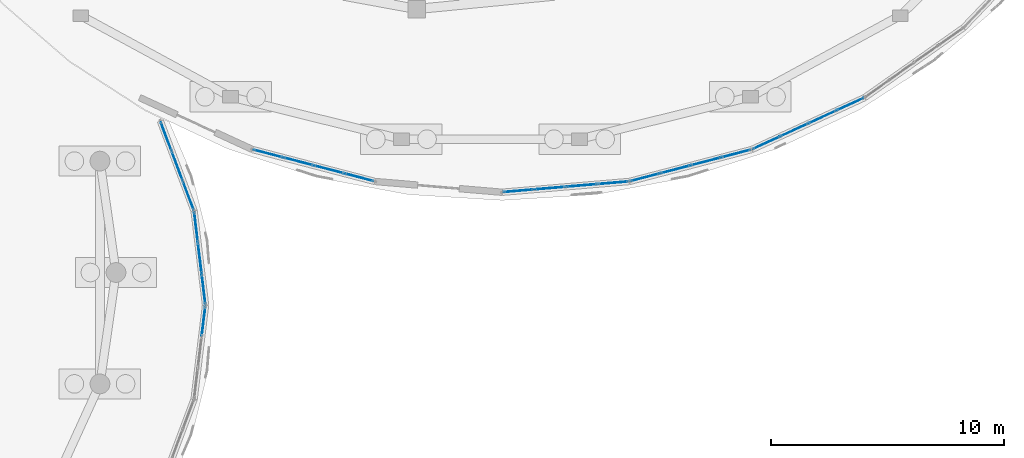
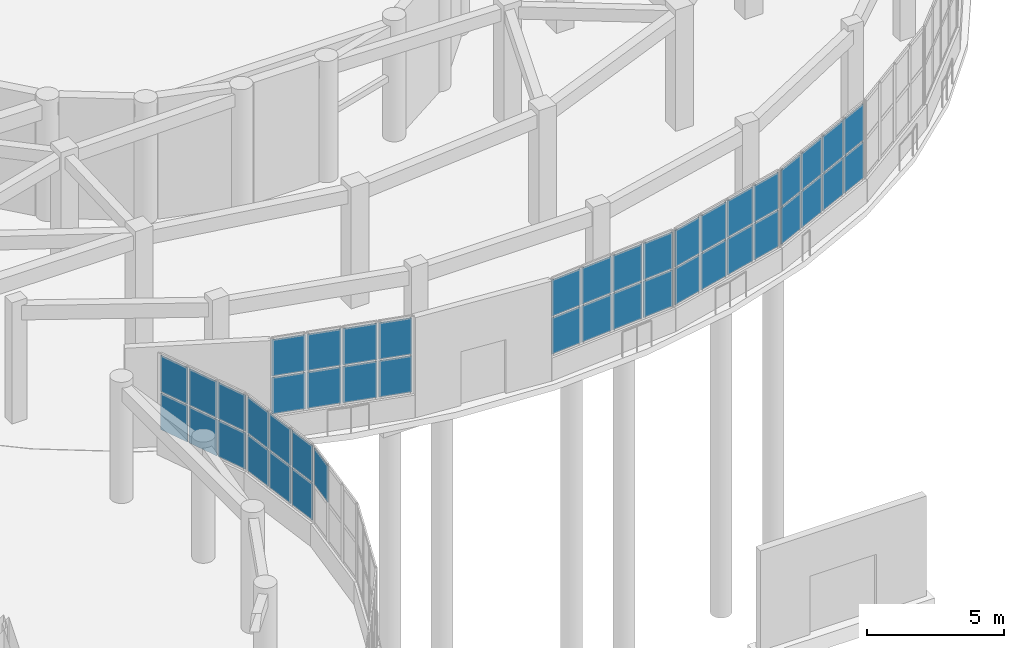
# One storey, part 63 of 96: 45 plates, 7 elements without a shape of their own.
"""IFC4 building model written with IfcOpenShell, lengths in metres."""

import ifcopenshell
import ifcopenshell.guid

model = None  # the IFC model being written
_history = None  # IfcOwnerHistory: only IFC2X3 demands one
_inside = {}  # id of a spatial element -> (the spatial element, [elements in it])
_under = {}  # id of a project, library or spatial element -> (it, [spatial elements below it])
_declared = {}  # id of a project -> (the project, [libraries it declares])
_typed = {}  # id of a type object -> (the type object, [elements of that type])
_made_of = {}  # id of a material, layer set ... -> (it, [elements and type objects made of it])


def new_model(schema):
    """Start an empty IFC model of exactly this schema.

    Asked for "IFC4X3", IfcOpenShell would pick the latest addendum, in which some entities
    have other attributes; the version numbers below select the first issue.
    IFC2X3 requires an IfcOwnerHistory on every rooted entity: one is made here for all.
    """
    global model, _history
    if schema == "IFC4X3":
        model = ifcopenshell.file(schema_version=(4, 3, 0, 0))
    else:
        model = ifcopenshell.file(schema=schema)
    _inside.clear()
    _under.clear()
    _declared.clear()
    _typed.clear()
    _made_of.clear()
    _history = None
    if model.schema == "IFC2X3":
        org = make("IfcOrganization", Name="unknown")
        user = make(
            "IfcPersonAndOrganization",
            ThePerson=make("IfcPerson", FamilyName="unknown"),
            TheOrganization=org,
        )
        app = make(
            "IfcApplication",
            ApplicationDeveloper=org,
            Version="unknown",
            ApplicationFullName="unknown",
            ApplicationIdentifier="unknown",
        )
        _history = make(
            "IfcOwnerHistory",
            OwningUser=user,
            OwningApplication=app,
            ChangeAction="ADDED",
            CreationDate=0,
        )
    return model


def make(cls, **values):
    """One entity of the class cls with the attributes given. An attribute that is None is left unset."""
    return model.create_entity(
        cls, **{name: value for name, value in values.items() if value is not None}
    )


def rooted(cls, **values):
    """An entity with a GlobalId (a new one), such as an element, a storey or a relation."""
    return make(cls, GlobalId=ifcopenshell.guid.new(), OwnerHistory=_history, **values)


def si_unit(unit_type, name, prefix=None):
    """IfcSIUnit, for example si_unit("LENGTHUNIT", "METRE", prefix="MILLI")."""
    return make("IfcSIUnit", UnitType=unit_type, Prefix=prefix, Name=name)


def assignment(units):
    """IfcUnitAssignment: the units of a project."""
    return None if units is None else make("IfcUnitAssignment", Units=units)


def point(xyz):
    """IfcCartesianPoint."""
    return None if xyz is None else make("IfcCartesianPoint", Coordinates=xyz)


def direction(xyz):
    """IfcDirection."""
    return None if xyz is None else make("IfcDirection", DirectionRatios=xyz)


def frame(location, z_axis=None, x_axis=None):
    """IfcAxis2Placement3D, a coordinate frame: its origin and axes. An axis left out is left unset."""
    return make(
        "IfcAxis2Placement3D",
        Location=point(location),
        Axis=direction(z_axis),
        RefDirection=direction(x_axis),
    )


def frame_2d(location, x_axis=None):
    """IfcAxis2Placement2D, a coordinate frame in the plane: its origin and x axis."""
    return make(
        "IfcAxis2Placement2D", Location=point(location), RefDirection=direction(x_axis)
    )


def origin():
    """The frame at (0, 0, 0) with its axes left unset."""
    return frame((0.0, 0.0, 0.0))


def origin_2d():
    """The frame at (0, 0) in the plane with its x axis left unset."""
    return frame_2d((0.0, 0.0))


def place(relative_to, where):
    """IfcLocalPlacement: puts the frame where relative to a parent placement (None: the world)."""
    return make(
        "IfcLocalPlacement", PlacementRelTo=relative_to, RelativePlacement=where
    )


def context(
    kind, dimensions, precision=None, world=None, true_north=None, identifier=None
):
    """IfcGeometricRepresentationContext, for example the 3D "Model" context."""
    return make(
        "IfcGeometricRepresentationContext",
        ContextIdentifier=identifier,
        ContextType=kind,
        CoordinateSpaceDimension=dimensions,
        Precision=precision,
        WorldCoordinateSystem=world,
        TrueNorth=true_north,
    )


def subcontext(parent, identifier, kind, view, scale=None):
    """IfcGeometricRepresentationSubContext, for example "Body" below "Model"."""
    return make(
        "IfcGeometricRepresentationSubContext",
        ContextIdentifier=identifier,
        ContextType=kind,
        ParentContext=parent,
        TargetScale=scale,
        TargetView=view,
    )


def project(units=None, contexts=None):
    """IfcProject with its units and contexts."""
    return rooted(
        "IfcProject",
        Name="project",
        RepresentationContexts=contexts,
        UnitsInContext=assignment(units),
    )


def spatial(cls, under=None, at=None, **own):
    """A site, building, storey or space (cls), placed at a placement, below another one or the project."""
    s = rooted(cls, ObjectPlacement=at, **own)
    if under is not None:
        _under.setdefault(under.id(), (under, []))[1].append(s)
    return s


def profile(cls, at=None, kind="AREA", **sizes):
    """A parametric profile (cls). Its sizes go by their IFC names, for example OverallWidth=200.0."""
    return make(cls, ProfileType=kind, Position=at, **sizes)


def rectangle(**sizes):
    """IfcRectangleProfileDef."""
    return profile("IfcRectangleProfileDef", **sizes)


def extrude(swept, where, along, depth):
    """IfcExtrudedAreaSolid: the profile swept, set in the frame where, extruded along a direction by depth."""
    return make(
        "IfcExtrudedAreaSolid",
        SweptArea=swept,
        Position=where,
        ExtrudedDirection=direction(along),
        Depth=depth,
    )


def shape(context_of_items, identifier, shape_type, items):
    """IfcShapeRepresentation: the items that make up one representation, for example the "Body"."""
    return make(
        "IfcShapeRepresentation",
        ContextOfItems=context_of_items,
        RepresentationIdentifier=identifier,
        RepresentationType=shape_type,
        Items=items,
    )


def material(Name=None, Category=None):
    """IfcMaterial."""
    return make("IfcMaterial", Name=Name, Category=Category)


def layer(
    of_material, thickness, ventilated=None, Name=None, Category=None, Priority=None
):
    """IfcMaterialLayer: one layer of a wall or slab, of a material (None: an air gap)."""
    return make(
        "IfcMaterialLayer",
        Material=of_material,
        LayerThickness=thickness,
        IsVentilated=ventilated,
        Name=Name,
        Category=Category,
        Priority=Priority,
    )


def layer_set(layers, Name=None):
    """IfcMaterialLayerSet."""
    return make("IfcMaterialLayerSet", MaterialLayers=layers, LayerSetName=Name)


def made_of(thing, what):
    """Note that an element or type object is made of a material, layer set ...; save() writes the relation."""
    if what is not None:
        _made_of.setdefault(what.id(), (what, []))[1].append(thing)
    return thing


def type_object(cls, material=None, **own):
    """A type object (cls), such as IfcWallType, which elements share."""
    return made_of(rooted(cls, **own), material)


def element(
    cls,
    number,
    at=None,
    inside=None,
    cuts=None,
    type_object=None,
    material=None,
    context=None,
    identifier="Body",
    shape_type=None,
    held_by="IfcProductDefinitionShape",
    body=None,
    shapes=None,
    **own,
):
    """One element of the class cls, such as IfcWall. Its Tag is "e" and its number.

    at: its placement. inside: the storey or other place that contains it. cuts: it is an
    opening in that element (IfcRelVoidsElement). A single representation is given by context,
    identifier, shape_type and body (its items); several are given by shapes. held_by: the class
    of the entity that holds the representations. save() writes the other relations.
    """
    e = rooted(cls, Tag="e%d" % number, ObjectPlacement=at, **own)
    if body is not None:
        shapes = [shape(context, identifier, shape_type, body)]
    if shapes is not None:
        e.Representation = make(held_by, Representations=shapes)
    if inside is not None:
        _inside.setdefault(inside.id(), (inside, []))[1].append(e)
    if cuts is not None:
        rooted(
            "IfcRelVoidsElement", RelatingBuildingElement=cuts, RelatedOpeningElement=e
        )
    if type_object is not None:
        _typed.setdefault(type_object.id(), (type_object, []))[1].append(e)
    return made_of(e, material)


def aggregate(whole, parts):
    """IfcRelAggregates: a whole, such as a stair, and the parts it consists of."""
    return rooted("IfcRelAggregates", RelatingObject=whole, RelatedObjects=parts)


def save(model, path):
    """Write the relations noted so far, then the file.

    IfcRelAggregates (storeys below a building ...), IfcRelContainedInSpatialStructure (elements
    in a storey), IfcRelDefinesByType, IfcRelAssociatesMaterial and IfcRelDeclares: one each for
    every whole, place, type object, material and project.
    """
    for whole, parts in _under.values():
        aggregate(whole, parts)
    for where, things in _inside.values():
        rooted(
            "IfcRelContainedInSpatialStructure",
            RelatedElements=things,
            RelatingStructure=where,
        )
    for kind, things in _typed.values():
        rooted("IfcRelDefinesByType", RelatedObjects=things, RelatingType=kind)
    for what, things in _made_of.values():
        rooted("IfcRelAssociatesMaterial", RelatedObjects=things, RelatingMaterial=what)
    for by, libraries in _declared.values():
        rooted("IfcRelDeclares", RelatingContext=by, RelatedDefinitions=libraries)
    model.write(path)


model = new_model("IFC4")

# Units and contexts
model_context = context("Model", 3, precision=1e-05, world=origin(), true_north=direction((0.0, 1.0)))
body_context = subcontext(model_context, "Body", "Model", "MODEL_VIEW")
ifc_project = project(units=[si_unit("LENGTHUNIT", "METRE"), si_unit("AREAUNIT", "SQUARE_METRE"), si_unit("VOLUMEUNIT", "CUBIC_METRE"), si_unit("PLANEANGLEUNIT", "RADIAN"), si_unit("MASSUNIT", "GRAM", prefix="KILO")], contexts=[model_context])

# Site, building, storey
site_placement = place(None, origin())
site = spatial("IfcSite", under=ifc_project, at=site_placement, CompositionType="ELEMENT")
building_placement = place(site_placement, origin())
building = spatial("IfcBuilding", under=site, at=building_placement, Name="Pelvatis Terrace Science Centre", CompositionType="ELEMENT")
storey_placement = place(building_placement, origin())
storey = spatial("IfcBuildingStorey", under=building, at=storey_placement, Name="L00", CompositionType="ELEMENT", Elevation=0.0)

# Curtain wall, plates
ifc_material_1 = material(Name="Bronze-anodised aluminium and laminated glass", Category="aluminium")
ifc_layer_1 = layer(ifc_material_1, 0.199951171875)
ifc_layer_set_1 = layer_set([ifc_layer_1], Name="Bronze-anodised aluminium and laminated glass")
curtain_wall_type = type_object("IfcCurtainWallType", Name="CW-RIBBON-B", PredefinedType="NOTDEFINED", material=ifc_layer_set_1)
curtain_wall_1_placement = place(storey_placement, origin())
curtain_wall_1 = element("IfcCurtainWall", 1, at=curtain_wall_1_placement, inside=storey, type_object=curtain_wall_type, Name="Ribbon curtain wall CW-043 (L00)", PredefinedType="NOTDEFINED")
ifc_material_2 = material(Name="Low-e laminated solar-control double glazing", Category="glass")
ifc_layer_2 = layer(ifc_material_2, 0.031982421875)
ifc_layer_set_2 = layer_set([ifc_layer_2], Name="Low-e laminated solar-control double glazing")
plate_type = type_object("IfcPlateType", Name="CWP-IGU-32", PredefinedType="CURTAIN_PANEL", material=ifc_layer_set_2)
plate_1_placement = place(storey_placement, frame((98.766357421875, 53.89013671875, 1.0849609375), z_axis=(0.0, 0.0, 1.0), x_axis=(-0.120435470735, 0.992721157923, 0.0)))
plate_1 = element("IfcPlate", 2, at=plate_1_placement, type_object=plate_type, Name="CW-043 panel 1.1", PredefinedType="CURTAIN_PANEL", context=body_context, shape_type="SweptSolid", body=[
    extrude(rectangle(XDim=1.26025390625, YDim=0.031982421875, at=origin_2d()), origin(), (0.0, 0.0, 1.0), 1.62255859375),
])
plate_2_placement = place(storey_placement, frame((98.766357421875, 53.89013671875, 2.7724609375), z_axis=(0.0, 0.0, 1.0), x_axis=(-0.120435470735, 0.992721157923, 0.0)))
plate_2 = element("IfcPlate", 3, at=plate_2_placement, type_object=plate_type, Name="CW-043 panel 1.2", PredefinedType="CURTAIN_PANEL", context=body_context, shape_type="SweptSolid", body=[
    extrude(rectangle(XDim=1.26025390625, YDim=0.031982421875, at=origin_2d()), origin(), (0.0, 0.0, 1.0), 1.62255859375),
])
plate_3_placement = place(storey_placement, frame((98.604736328125, 55.221923828125, 1.0849609375), z_axis=(0.0, 0.0, 1.0), x_axis=(-0.120435470735, 0.992721157923, 0.0)))
plate_3 = element("IfcPlate", 4, at=plate_3_placement, type_object=plate_type, Name="CW-043 panel 2.1", PredefinedType="CURTAIN_PANEL", context=body_context, shape_type="SweptSolid", body=[
    extrude(rectangle(XDim=1.29296875, YDim=0.031982421875, at=origin_2d()), origin(), (0.0, 0.0, 1.0), 1.62255859375),
])
plate_4_placement = place(storey_placement, frame((98.604736328125, 55.221923828125, 2.7724609375), z_axis=(0.0, 0.0, 1.0), x_axis=(-0.120435470735, 0.992721157923, 0.0)))
plate_4 = element("IfcPlate", 5, at=plate_4_placement, type_object=plate_type, Name="CW-043 panel 2.2", PredefinedType="CURTAIN_PANEL", context=body_context, shape_type="SweptSolid", body=[
    extrude(rectangle(XDim=1.29296875, YDim=0.031982421875, at=origin_2d()), origin(), (0.0, 0.0, 1.0), 1.62255859375),
])
plate_5_placement = place(storey_placement, frame((98.443115234375, 56.5537109375, 1.0849609375), z_axis=(0.0, 0.0, 1.0), x_axis=(-0.120435470735, 0.992721157923, 0.0)))
plate_5 = element("IfcPlate", 6, at=plate_5_placement, type_object=plate_type, Name="CW-043 panel 3.1", PredefinedType="CURTAIN_PANEL", context=body_context, shape_type="SweptSolid", body=[
    extrude(rectangle(XDim=1.26025390625, YDim=0.031982421875, at=origin_2d()), origin(), (0.0, 0.0, 1.0), 1.62255859375),
])
plate_6_placement = place(storey_placement, frame((98.443115234375, 56.5537109375, 2.7724609375), z_axis=(0.0, 0.0, 1.0), x_axis=(-0.120435470735, 0.992721157923, 0.0)))
plate_6 = element("IfcPlate", 7, at=plate_6_placement, type_object=plate_type, Name="CW-043 panel 3.2", PredefinedType="CURTAIN_PANEL", context=body_context, shape_type="SweptSolid", body=[
    extrude(rectangle(XDim=1.26025390625, YDim=0.031982421875, at=origin_2d()), origin(), (0.0, 0.0, 1.0), 1.62255859375),
])
aggregate(curtain_wall_1, [plate_1, plate_2, plate_3, plate_4, plate_5, plate_6])

curtain_wall_2_placement = place(storey_placement, origin())
curtain_wall_2 = element("IfcCurtainWall", 8, at=curtain_wall_2_placement, inside=storey, type_object=curtain_wall_type, Name="Ribbon curtain wall CW-044 (L00)", PredefinedType="NOTDEFINED")
plate_7_placement = place(storey_placement, frame((98.112060546875, 57.903564453125, 1.0849609375), z_axis=(0.0, 0.0, 1.0), x_axis=(-0.351152628988, 0.936318231775, 0.0)))
plate_7 = element("IfcPlate", 9, at=plate_7_placement, type_object=plate_type, Name="CW-044 panel 1.1", PredefinedType="CURTAIN_PANEL", context=body_context, shape_type="SweptSolid", body=[
    extrude(rectangle(XDim=1.279296875, YDim=0.031982421875, at=origin_2d()), origin(), (0.0, 0.0, 1.0), 1.62255859375),
])
plate_8_placement = place(storey_placement, frame((98.112060546875, 57.903564453125, 2.7724609375), z_axis=(0.0, 0.0, 1.0), x_axis=(-0.351152628988, 0.936318231775, 0.0)))
plate_8 = element("IfcPlate", 10, at=plate_8_placement, type_object=plate_type, Name="CW-044 panel 1.2", PredefinedType="CURTAIN_PANEL", context=body_context, shape_type="SweptSolid", body=[
    extrude(rectangle(XDim=1.279296875, YDim=0.031982421875, at=origin_2d()), origin(), (0.0, 0.0, 1.0), 1.62255859375),
])
plate_9_placement = place(storey_placement, frame((97.63427734375, 59.177490234375, 1.0849609375), z_axis=(0.0, 0.0, 1.0), x_axis=(-0.351152628988, 0.936318231775, 0.0)))
plate_9 = element("IfcPlate", 11, at=plate_9_placement, type_object=plate_type, Name="CW-044 panel 2.1", PredefinedType="CURTAIN_PANEL", context=body_context, shape_type="SweptSolid", body=[
    extrude(rectangle(XDim=1.311767578125, YDim=0.031982421875, at=origin_2d()), origin(), (0.0, 0.0, 1.0), 1.62255859375),
])
plate_10_placement = place(storey_placement, frame((97.63427734375, 59.177490234375, 2.7724609375), z_axis=(0.0, 0.0, 1.0), x_axis=(-0.351152628988, 0.936318231775, 0.0)))
plate_10 = element("IfcPlate", 12, at=plate_10_placement, type_object=plate_type, Name="CW-044 panel 2.2", PredefinedType="CURTAIN_PANEL", context=body_context, shape_type="SweptSolid", body=[
    extrude(rectangle(XDim=1.311767578125, YDim=0.031982421875, at=origin_2d()), origin(), (0.0, 0.0, 1.0), 1.62255859375),
])
plate_11_placement = place(storey_placement, frame((97.156494140625, 60.451171875, 1.0849609375), z_axis=(0.0, 0.0, 1.0), x_axis=(-0.351152628988, 0.936318231775, 0.0)))
plate_11 = element("IfcPlate", 13, at=plate_11_placement, type_object=plate_type, Name="CW-044 panel 3.1", PredefinedType="CURTAIN_PANEL", context=body_context, shape_type="SweptSolid", body=[
    extrude(rectangle(XDim=1.279296875, YDim=0.031982421875, at=origin_2d()), origin(), (0.0, 0.0, 1.0), 1.62255859375),
])
plate_12_placement = place(storey_placement, frame((97.156494140625, 60.451171875, 2.7724609375), z_axis=(0.0, 0.0, 1.0), x_axis=(-0.351152628988, 0.936318231775, 0.0)))
plate_12 = element("IfcPlate", 14, at=plate_12_placement, type_object=plate_type, Name="CW-044 panel 3.2", PredefinedType="CURTAIN_PANEL", context=body_context, shape_type="SweptSolid", body=[
    extrude(rectangle(XDim=1.279296875, YDim=0.031982421875, at=origin_2d()), origin(), (0.0, 0.0, 1.0), 1.62255859375),
])
aggregate(curtain_wall_2, [plate_7, plate_8, plate_9, plate_10, plate_11, plate_12])

# Curtain wall, plate
curtain_wall_3_placement = place(storey_placement, origin())
curtain_wall_3 = element("IfcCurtainWall", 15, at=curtain_wall_3_placement, inside=storey, type_object=curtain_wall_type, Name="Ribbon curtain wall CW-059 (L00)", PredefinedType="NOTDEFINED")
plate_13_placement = place(storey_placement, frame((98.766357421875, 52.509765625, 2.7724609375), z_axis=(0.0, 0.0, 1.0), x_axis=(0.120435470735, 0.992721157923, 0.0)))
plate_13 = element("IfcPlate", 16, at=plate_13_placement, type_object=plate_type, Name="CW-059 panel 3.2", PredefinedType="CURTAIN_PANEL", context=body_context, shape_type="SweptSolid", body=[
    extrude(rectangle(XDim=1.26025390625, YDim=0.031982421875, at=origin_2d()), origin(), (0.0, 0.0, 1.0), 1.62255859375),
])
aggregate(curtain_wall_3, [plate_13])

# Curtain wall, plates
curtain_wall_4_placement = place(storey_placement, origin())
curtain_wall_4 = element("IfcCurtainWall", 17, at=curtain_wall_4_placement, inside=storey, type_object=curtain_wall_type, Name="Ribbon curtain wall CW-118 (L00)", PredefinedType="NOTDEFINED")
plate_14_placement = place(storey_placement, frame((101.5390625, 59.71240234375, 1.0849609375), z_axis=(0.0, 0.0, 1.0), x_axis=(0.967545180389, -0.252698088449, 0.0)))
plate_14 = element("IfcPlate", 18, at=plate_14_placement, type_object=plate_type, Name="CW-118 panel 1.1", PredefinedType="CURTAIN_PANEL", context=body_context, shape_type="SweptSolid", body=[
    extrude(rectangle(XDim=1.26220703125, YDim=0.031982421875, at=origin_2d()), origin(), (0.0, 0.0, 1.0), 1.62255859375),
])
plate_15_placement = place(storey_placement, frame((101.5390625, 59.71240234375, 2.7724609375), z_axis=(0.0, 0.0, 1.0), x_axis=(0.967545180389, -0.252698088449, 0.0)))
plate_15 = element("IfcPlate", 19, at=plate_15_placement, type_object=plate_type, Name="CW-118 panel 1.2", PredefinedType="CURTAIN_PANEL", context=body_context, shape_type="SweptSolid", body=[
    extrude(rectangle(XDim=1.26220703125, YDim=0.031982421875, at=origin_2d()), origin(), (0.0, 0.0, 1.0), 1.62255859375),
])
plate_16_placement = place(storey_placement, frame((102.8388671875, 59.373046875, 1.0849609375), z_axis=(0.0, 0.0, 1.0), x_axis=(0.967545180389, -0.252698088449, 0.0)))
plate_16 = element("IfcPlate", 20, at=plate_16_placement, type_object=plate_type, Name="CW-118 panel 2.1", PredefinedType="CURTAIN_PANEL", context=body_context, shape_type="SweptSolid", body=[
    extrude(rectangle(XDim=1.294677734375, YDim=0.031982421875, at=origin_2d()), origin(), (0.0, 0.0, 1.0), 1.62255859375),
])
plate_17_placement = place(storey_placement, frame((102.8388671875, 59.373046875, 2.7724609375), z_axis=(0.0, 0.0, 1.0), x_axis=(0.967545180389, -0.252698088449, 0.0)))
plate_17 = element("IfcPlate", 21, at=plate_17_placement, type_object=plate_type, Name="CW-118 panel 2.2", PredefinedType="CURTAIN_PANEL", context=body_context, shape_type="SweptSolid", body=[
    extrude(rectangle(XDim=1.294677734375, YDim=0.031982421875, at=origin_2d()), origin(), (0.0, 0.0, 1.0), 1.62255859375),
])
plate_18_placement = place(storey_placement, frame((104.154541015625, 59.029296875, 1.0849609375), z_axis=(0.0, 0.0, 1.0), x_axis=(0.967545180389, -0.252698088449, 0.0)))
plate_18 = element("IfcPlate", 22, at=plate_18_placement, type_object=plate_type, Name="CW-118 panel 3.1", PredefinedType="CURTAIN_PANEL", context=body_context, shape_type="SweptSolid", body=[
    extrude(rectangle(XDim=1.294677734375, YDim=0.031982421875, at=origin_2d()), origin(), (0.0, 0.0, 1.0), 1.62255859375),
])
plate_19_placement = place(storey_placement, frame((104.154541015625, 59.029296875, 2.7724609375), z_axis=(0.0, 0.0, 1.0), x_axis=(0.967545180389, -0.252698088449, 0.0)))
plate_19 = element("IfcPlate", 23, at=plate_19_placement, type_object=plate_type, Name="CW-118 panel 3.2", PredefinedType="CURTAIN_PANEL", context=body_context, shape_type="SweptSolid", body=[
    extrude(rectangle(XDim=1.294677734375, YDim=0.031982421875, at=origin_2d()), origin(), (0.0, 0.0, 1.0), 1.62255859375),
])
plate_20_placement = place(storey_placement, frame((105.454345703125, 58.68994140625, 1.0849609375), z_axis=(0.0, 0.0, 1.0), x_axis=(0.967545180389, -0.252698088449, 0.0)))
plate_20 = element("IfcPlate", 24, at=plate_20_placement, type_object=plate_type, Name="CW-118 panel 4.1", PredefinedType="CURTAIN_PANEL", context=body_context, shape_type="SweptSolid", body=[
    extrude(rectangle(XDim=1.26220703125, YDim=0.031982421875, at=origin_2d()), origin(), (0.0, 0.0, 1.0), 1.62255859375),
])
plate_21_placement = place(storey_placement, frame((105.454345703125, 58.68994140625, 2.7724609375), z_axis=(0.0, 0.0, 1.0), x_axis=(0.967545180389, -0.252698088449, 0.0)))
plate_21 = element("IfcPlate", 25, at=plate_21_placement, type_object=plate_type, Name="CW-118 panel 4.2", PredefinedType="CURTAIN_PANEL", context=body_context, shape_type="SweptSolid", body=[
    extrude(rectangle(XDim=1.26220703125, YDim=0.031982421875, at=origin_2d()), origin(), (0.0, 0.0, 1.0), 1.62255859375),
])
aggregate(curtain_wall_4, [plate_14, plate_15, plate_16, plate_17, plate_18, plate_19, plate_20, plate_21])

curtain_wall_5_placement = place(storey_placement, origin())
curtain_wall_5 = element("IfcCurtainWall", 26, at=curtain_wall_5_placement, inside=storey, type_object=curtain_wall_type, Name="Ribbon curtain wall CW-119 (L00)", PredefinedType="NOTDEFINED")
plate_22_placement = place(storey_placement, frame((112.30029296875, 58.109375, 1.0849609375), z_axis=(0.0, 0.0, 1.0), x_axis=(0.996424538597, 0.084487507255, 0.0)))
plate_22 = element("IfcPlate", 27, at=plate_22_placement, type_object=plate_type, Name="CW-119 panel 1.1", PredefinedType="CURTAIN_PANEL", context=body_context, shape_type="SweptSolid", body=[
    extrude(rectangle(XDim=1.275390625, YDim=0.031982421875, at=origin_2d()), origin(), (0.0, 0.0, 1.0), 1.62255859375),
])
plate_23_placement = place(storey_placement, frame((112.30029296875, 58.109375, 2.7724609375), z_axis=(0.0, 0.0, 1.0), x_axis=(0.996424538597, 0.084487507255, 0.0)))
plate_23 = element("IfcPlate", 28, at=plate_23_placement, type_object=plate_type, Name="CW-119 panel 1.2", PredefinedType="CURTAIN_PANEL", context=body_context, shape_type="SweptSolid", body=[
    extrude(rectangle(XDim=1.275390625, YDim=0.031982421875, at=origin_2d()), origin(), (0.0, 0.0, 1.0), 1.62255859375),
])
plate_24_placement = place(storey_placement, frame((113.652099609375, 58.22412109375, 1.0849609375), z_axis=(0.0, 0.0, 1.0), x_axis=(0.996424538597, 0.084487507255, 0.0)))
plate_24 = element("IfcPlate", 29, at=plate_24_placement, type_object=plate_type, Name="CW-119 panel 2.1", PredefinedType="CURTAIN_PANEL", context=body_context, shape_type="SweptSolid", body=[
    extrude(rectangle(XDim=1.30810546875, YDim=0.031982421875, at=origin_2d()), origin(), (0.0, 0.0, 1.0), 1.62255859375),
])
plate_25_placement = place(storey_placement, frame((113.652099609375, 58.22412109375, 2.7724609375), z_axis=(0.0, 0.0, 1.0), x_axis=(0.996424538597, 0.084487507255, 0.0)))
plate_25 = element("IfcPlate", 30, at=plate_25_placement, type_object=plate_type, Name="CW-119 panel 2.2", PredefinedType="CURTAIN_PANEL", context=body_context, shape_type="SweptSolid", body=[
    extrude(rectangle(XDim=1.30810546875, YDim=0.031982421875, at=origin_2d()), origin(), (0.0, 0.0, 1.0), 1.62255859375),
])
plate_26_placement = place(storey_placement, frame((115.020263671875, 58.340087890625, 1.0849609375), z_axis=(0.0, 0.0, 1.0), x_axis=(0.996424538597, 0.084487507255, 0.0)))
plate_26 = element("IfcPlate", 31, at=plate_26_placement, type_object=plate_type, Name="CW-119 panel 3.1", PredefinedType="CURTAIN_PANEL", context=body_context, shape_type="SweptSolid", body=[
    extrude(rectangle(XDim=1.30810546875, YDim=0.031982421875, at=origin_2d()), origin(), (0.0, 0.0, 1.0), 1.62255859375),
])
plate_27_placement = place(storey_placement, frame((115.020263671875, 58.340087890625, 2.7724609375), z_axis=(0.0, 0.0, 1.0), x_axis=(0.996424538597, 0.084487507255, 0.0)))
plate_27 = element("IfcPlate", 32, at=plate_27_placement, type_object=plate_type, Name="CW-119 panel 3.2", PredefinedType="CURTAIN_PANEL", context=body_context, shape_type="SweptSolid", body=[
    extrude(rectangle(XDim=1.30810546875, YDim=0.031982421875, at=origin_2d()), origin(), (0.0, 0.0, 1.0), 1.62255859375),
])
plate_28_placement = place(storey_placement, frame((116.3720703125, 58.45458984375, 1.0849609375), z_axis=(0.0, 0.0, 1.0), x_axis=(0.996424538597, 0.084487507255, 0.0)))
plate_28 = element("IfcPlate", 33, at=plate_28_placement, type_object=plate_type, Name="CW-119 panel 4.1", PredefinedType="CURTAIN_PANEL", context=body_context, shape_type="SweptSolid", body=[
    extrude(rectangle(XDim=1.275390625, YDim=0.031982421875, at=origin_2d()), origin(), (0.0, 0.0, 1.0), 1.62255859375),
])
plate_29_placement = place(storey_placement, frame((116.3720703125, 58.45458984375, 2.7724609375), z_axis=(0.0, 0.0, 1.0), x_axis=(0.996424538597, 0.084487507255, 0.0)))
plate_29 = element("IfcPlate", 34, at=plate_29_placement, type_object=plate_type, Name="CW-119 panel 4.2", PredefinedType="CURTAIN_PANEL", context=body_context, shape_type="SweptSolid", body=[
    extrude(rectangle(XDim=1.275390625, YDim=0.031982421875, at=origin_2d()), origin(), (0.0, 0.0, 1.0), 1.62255859375),
])
aggregate(curtain_wall_5, [plate_22, plate_23, plate_24, plate_25, plate_26, plate_27, plate_28, plate_29])

curtain_wall_6_placement = place(storey_placement, origin())
curtain_wall_6 = element("IfcCurtainWall", 35, at=curtain_wall_6_placement, inside=storey, type_object=curtain_wall_type, Name="Ribbon curtain wall CW-120 (L00)", PredefinedType="NOTDEFINED")
plate_30_placement = place(storey_placement, frame((117.745849609375, 58.68994140625, 1.0849609375), z_axis=(0.0, 0.0, 1.0), x_axis=(0.967545180389, 0.252698088449, 0.0)))
plate_30 = element("IfcPlate", 36, at=plate_30_placement, type_object=plate_type, Name="CW-120 panel 1.1", PredefinedType="CURTAIN_PANEL", context=body_context, shape_type="SweptSolid", body=[
    extrude(rectangle(XDim=1.26220703125, YDim=0.031982421875, at=origin_2d()), origin(), (0.0, 0.0, 1.0), 1.62255859375),
])
plate_31_placement = place(storey_placement, frame((117.745849609375, 58.68994140625, 2.7724609375), z_axis=(0.0, 0.0, 1.0), x_axis=(0.967545180389, 0.252698088449, 0.0)))
plate_31 = element("IfcPlate", 37, at=plate_31_placement, type_object=plate_type, Name="CW-120 panel 1.2", PredefinedType="CURTAIN_PANEL", context=body_context, shape_type="SweptSolid", body=[
    extrude(rectangle(XDim=1.26220703125, YDim=0.031982421875, at=origin_2d()), origin(), (0.0, 0.0, 1.0), 1.62255859375),
])
plate_32_placement = place(storey_placement, frame((119.045654296875, 59.029296875, 1.0849609375), z_axis=(0.0, 0.0, 1.0), x_axis=(0.967545180389, 0.252698088449, 0.0)))
plate_32 = element("IfcPlate", 38, at=plate_32_placement, type_object=plate_type, Name="CW-120 panel 2.1", PredefinedType="CURTAIN_PANEL", context=body_context, shape_type="SweptSolid", body=[
    extrude(rectangle(XDim=1.294677734375, YDim=0.031982421875, at=origin_2d()), origin(), (0.0, 0.0, 1.0), 1.62255859375),
])
plate_33_placement = place(storey_placement, frame((119.045654296875, 59.029296875, 2.7724609375), z_axis=(0.0, 0.0, 1.0), x_axis=(0.967545180389, 0.252698088449, 0.0)))
plate_33 = element("IfcPlate", 39, at=plate_33_placement, type_object=plate_type, Name="CW-120 panel 2.2", PredefinedType="CURTAIN_PANEL", context=body_context, shape_type="SweptSolid", body=[
    extrude(rectangle(XDim=1.294677734375, YDim=0.031982421875, at=origin_2d()), origin(), (0.0, 0.0, 1.0), 1.62255859375),
])
plate_34_placement = place(storey_placement, frame((120.361083984375, 59.373046875, 1.0849609375), z_axis=(0.0, 0.0, 1.0), x_axis=(0.967545180389, 0.252698088449, 0.0)))
plate_34 = element("IfcPlate", 40, at=plate_34_placement, type_object=plate_type, Name="CW-120 panel 3.1", PredefinedType="CURTAIN_PANEL", context=body_context, shape_type="SweptSolid", body=[
    extrude(rectangle(XDim=1.294677734375, YDim=0.031982421875, at=origin_2d()), origin(), (0.0, 0.0, 1.0), 1.62255859375),
])
plate_35_placement = place(storey_placement, frame((120.361083984375, 59.373046875, 2.7724609375), z_axis=(0.0, 0.0, 1.0), x_axis=(0.967545180389, 0.252698088449, 0.0)))
plate_35 = element("IfcPlate", 41, at=plate_35_placement, type_object=plate_type, Name="CW-120 panel 3.2", PredefinedType="CURTAIN_PANEL", context=body_context, shape_type="SweptSolid", body=[
    extrude(rectangle(XDim=1.294677734375, YDim=0.031982421875, at=origin_2d()), origin(), (0.0, 0.0, 1.0), 1.62255859375),
])
plate_36_placement = place(storey_placement, frame((121.660888671875, 59.71240234375, 1.0849609375), z_axis=(0.0, 0.0, 1.0), x_axis=(0.967545180389, 0.252698088449, 0.0)))
plate_36 = element("IfcPlate", 42, at=plate_36_placement, type_object=plate_type, Name="CW-120 panel 4.1", PredefinedType="CURTAIN_PANEL", context=body_context, shape_type="SweptSolid", body=[
    extrude(rectangle(XDim=1.26220703125, YDim=0.031982421875, at=origin_2d()), origin(), (0.0, 0.0, 1.0), 1.62255859375),
])
plate_37_placement = place(storey_placement, frame((121.660888671875, 59.71240234375, 2.7724609375), z_axis=(0.0, 0.0, 1.0), x_axis=(0.967545180389, 0.252698088449, 0.0)))
plate_37 = element("IfcPlate", 43, at=plate_37_placement, type_object=plate_type, Name="CW-120 panel 4.2", PredefinedType="CURTAIN_PANEL", context=body_context, shape_type="SweptSolid", body=[
    extrude(rectangle(XDim=1.26220703125, YDim=0.031982421875, at=origin_2d()), origin(), (0.0, 0.0, 1.0), 1.62255859375),
])
aggregate(curtain_wall_6, [plate_30, plate_31, plate_32, plate_33, plate_34, plate_35, plate_36, plate_37])

curtain_wall_7_placement = place(storey_placement, origin())
curtain_wall_7 = element("IfcCurtainWall", 44, at=curtain_wall_7_placement, inside=storey, type_object=curtain_wall_type, Name="Ribbon curtain wall CW-121 (L00)", PredefinedType="NOTDEFINED")
plate_38_placement = place(storey_placement, frame((122.955322265625, 60.174072265625, 1.0849609375), z_axis=(0.0, 0.0, 1.0), x_axis=(0.908421026067, 0.41805650264, 0.0)))
plate_38 = element("IfcPlate", 45, at=plate_38_placement, type_object=plate_type, Name="CW-121 panel 1.1", PredefinedType="CURTAIN_PANEL", context=body_context, shape_type="SweptSolid", body=[
    extrude(rectangle(XDim=1.237060546875, YDim=0.031982421875, at=origin_2d()), origin(), (0.0, 0.0, 1.0), 1.62255859375),
])
plate_39_placement = place(storey_placement, frame((122.955322265625, 60.174072265625, 2.7724609375), z_axis=(0.0, 0.0, 1.0), x_axis=(0.908421026067, 0.41805650264, 0.0)))
plate_39 = element("IfcPlate", 46, at=plate_39_placement, type_object=plate_type, Name="CW-121 panel 1.2", PredefinedType="CURTAIN_PANEL", context=body_context, shape_type="SweptSolid", body=[
    extrude(rectangle(XDim=1.237060546875, YDim=0.031982421875, at=origin_2d()), origin(), (0.0, 0.0, 1.0), 1.62255859375),
])
plate_40_placement = place(storey_placement, frame((124.15283203125, 60.72509765625, 1.0849609375), z_axis=(0.0, 0.0, 1.0), x_axis=(0.908421026067, 0.41805650264, 0.0)))
plate_40 = element("IfcPlate", 47, at=plate_40_placement, type_object=plate_type, Name="CW-121 panel 2.1", PredefinedType="CURTAIN_PANEL", context=body_context, shape_type="SweptSolid", body=[
    extrude(rectangle(XDim=1.26953125, YDim=0.031982421875, at=origin_2d()), origin(), (0.0, 0.0, 1.0), 1.62255859375),
])
plate_41_placement = place(storey_placement, frame((124.15283203125, 60.72509765625, 2.7724609375), z_axis=(0.0, 0.0, 1.0), x_axis=(0.908421026067, 0.41805650264, 0.0)))
plate_41 = element("IfcPlate", 48, at=plate_41_placement, type_object=plate_type, Name="CW-121 panel 2.2", PredefinedType="CURTAIN_PANEL", context=body_context, shape_type="SweptSolid", body=[
    extrude(rectangle(XDim=1.26953125, YDim=0.031982421875, at=origin_2d()), origin(), (0.0, 0.0, 1.0), 1.62255859375),
])
plate_42_placement = place(storey_placement, frame((125.365234375, 61.283203125, 1.0849609375), z_axis=(0.0, 0.0, 1.0), x_axis=(0.908421026067, 0.41805650264, 0.0)))
plate_42 = element("IfcPlate", 49, at=plate_42_placement, type_object=plate_type, Name="CW-121 panel 3.1", PredefinedType="CURTAIN_PANEL", context=body_context, shape_type="SweptSolid", body=[
    extrude(rectangle(XDim=1.26953125, YDim=0.031982421875, at=origin_2d()), origin(), (0.0, 0.0, 1.0), 1.62255859375),
])
plate_43_placement = place(storey_placement, frame((125.365234375, 61.283203125, 2.7724609375), z_axis=(0.0, 0.0, 1.0), x_axis=(0.908421026067, 0.41805650264, 0.0)))
plate_43 = element("IfcPlate", 50, at=plate_43_placement, type_object=plate_type, Name="CW-121 panel 3.2", PredefinedType="CURTAIN_PANEL", context=body_context, shape_type="SweptSolid", body=[
    extrude(rectangle(XDim=1.26953125, YDim=0.031982421875, at=origin_2d()), origin(), (0.0, 0.0, 1.0), 1.62255859375),
])
plate_44_placement = place(storey_placement, frame((126.562744140625, 61.834228515625, 1.0849609375), z_axis=(0.0, 0.0, 1.0), x_axis=(0.908421026067, 0.41805650264, 0.0)))
plate_44 = element("IfcPlate", 51, at=plate_44_placement, type_object=plate_type, Name="CW-121 panel 4.1", PredefinedType="CURTAIN_PANEL", context=body_context, shape_type="SweptSolid", body=[
    extrude(rectangle(XDim=1.237060546875, YDim=0.031982421875, at=origin_2d()), origin(), (0.0, 0.0, 1.0), 1.62255859375),
])
plate_45_placement = place(storey_placement, frame((126.562744140625, 61.834228515625, 2.7724609375), z_axis=(0.0, 0.0, 1.0), x_axis=(0.908421026067, 0.41805650264, 0.0)))
plate_45 = element("IfcPlate", 52, at=plate_45_placement, type_object=plate_type, Name="CW-121 panel 4.2", PredefinedType="CURTAIN_PANEL", context=body_context, shape_type="SweptSolid", body=[
    extrude(rectangle(XDim=1.237060546875, YDim=0.031982421875, at=origin_2d()), origin(), (0.0, 0.0, 1.0), 1.62255859375),
])
aggregate(curtain_wall_7, [plate_38, plate_39, plate_40, plate_41, plate_42, plate_43, plate_44, plate_45])

save(model, "model.ifc")
